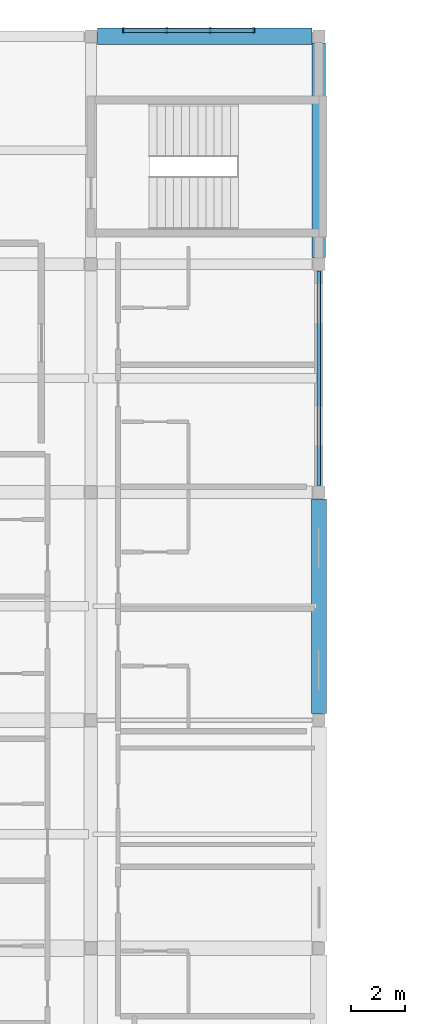
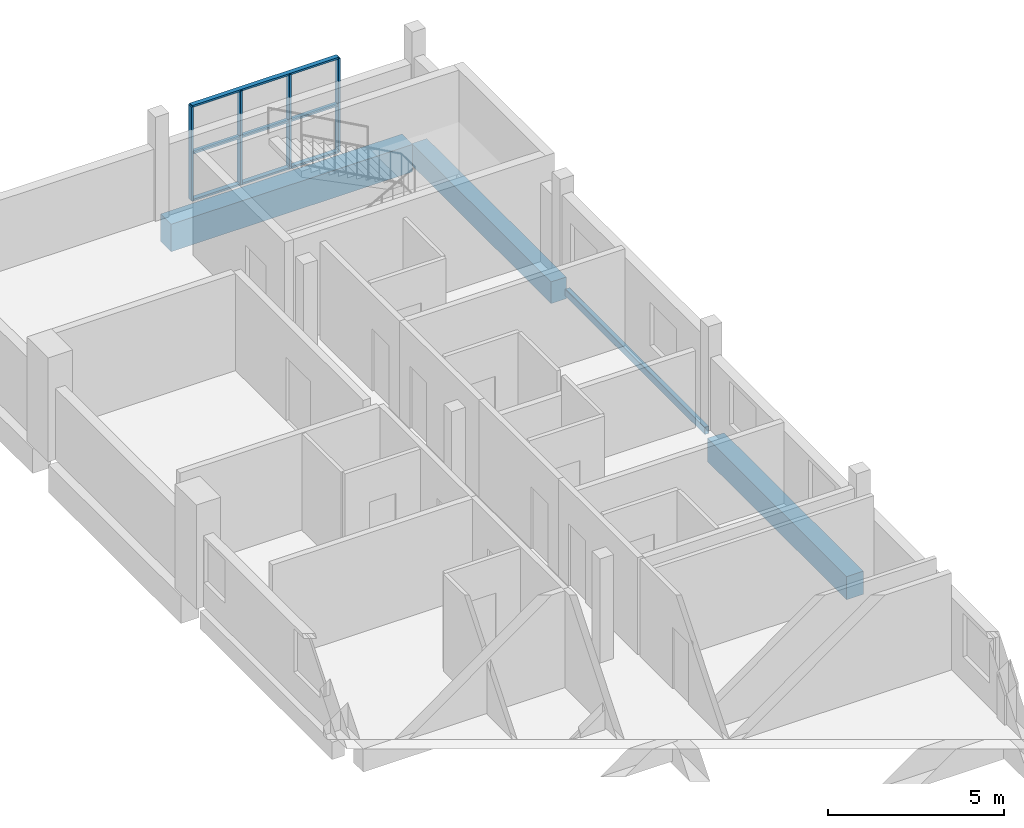
# One storey, part 4 of 19: 7 members, 4 beams, 1 element without a shape of its own.
"""IFC4 building model written with IfcOpenShell, lengths in metres."""

from ifc_helpers import new_model, si_unit, derived_unit, direction, frame, origin, origin_2d, place, context, subcontext, project, spatial, rectangle, hollow_rectangle, extrude, material, material_profile, profile_set, type_object, element, aggregate, save


model = new_model("IFC4")

# Units and contexts
model_context = context("Model", 3, precision=1e-05, world=origin(), true_north=direction((0.0, 1.0)))
body_context = subcontext(model_context, "Body", "Model", "MODEL_VIEW")
ifc_project = project(units=[si_unit("LENGTHUNIT", "METRE"), si_unit("AREAUNIT", "SQUARE_METRE"), si_unit("VOLUMEUNIT", "CUBIC_METRE"), si_unit("PLANEANGLEUNIT", "RADIAN"), si_unit("MASSUNIT", "GRAM", prefix="KILO"), derived_unit("THERMALTRANSMITTANCEUNIT", [(si_unit("POWERUNIT", "WATT"), 1), (si_unit("LENGTHUNIT", "METRE"), -2), (si_unit("THERMODYNAMICTEMPERATUREUNIT", "KELVIN"), -1)])], contexts=[model_context])

# Site, building, storey
site_placement = place(None, origin())
site = spatial("IfcSite", under=ifc_project, at=site_placement, CompositionType="ELEMENT")
building_placement = place(site_placement, origin())
building = spatial("IfcBuilding", under=site, at=building_placement, Name="Barrovel Congress Hotel", CompositionType="ELEMENT")
storey_placement = place(building_placement, frame((0.0, 0.0, 43.5)))
storey = spatial("IfcBuildingStorey", under=building, at=storey_placement, Name="L11", CompositionType="ELEMENT", Elevation=43.5)

# Beams
ifc_material_1 = material(Name="Concrete C40", Category="concrete")
ifc_material_profile_1 = material_profile(ifc_material_1, rectangle(XDim=0.5, YDim=0.75, at=origin_2d()), Name="RC500x750")
ifc_profile_set_1 = profile_set([ifc_material_profile_1], Name="Concrete C40")
beam_type_1 = type_object("IfcBeamType", Name="BM-RC500x750", PredefinedType="BEAM", material=ifc_profile_set_1)
beam_1_placement = place(storey_placement, frame((50.39990234375, 54.85009765625, -0.594970703125), z_axis=(0.0, 1.0, 0.0), x_axis=(-1.0, 0.0, 0.0)))
element("IfcBeam", 1, at=beam_1_placement, inside=storey, type_object=beam_type_1, Name="BMY:L11:50.4:54.6-63.0", PredefinedType="BEAM", context=body_context, shape_type="SweptSolid", body=[
    extrude(rectangle(XDim=0.5, YDim=0.75, at=origin_2d()), origin(), (0.0, 0.0, 1.0), 7.89990234375),
])
ifc_material_profile_2 = material_profile(ifc_material_1, rectangle(XDim=0.550048828125, YDim=0.800048828125, at=origin_2d()), Name="RC550x800")
ifc_profile_set_2 = profile_set([ifc_material_profile_2], Name="Concrete C40")
beam_type_2 = type_object("IfcBeamType", Name="BM-RC550x800", PredefinedType="BEAM", material=ifc_profile_set_2)
beam_2_placement = place(storey_placement, frame((50.39990234375, 38.050048828125, -0.6201171875), z_axis=(0.0, 1.0, 0.0), x_axis=(-1.0, 0.0, 0.0)))
element("IfcBeam", 2, at=beam_2_placement, inside=storey, type_object=beam_type_2, Name="BMY:L11:50.4:37.8-46.2", PredefinedType="BEAM", context=body_context, shape_type="SweptSolid", body=[
    extrude(rectangle(XDim=0.550048828125, YDim=0.800048828125, at=origin_2d()), origin(), (0.0, 0.0, 1.0), 7.89990234375),
])
ifc_material_profile_3 = material_profile(ifc_material_1, rectangle(XDim=0.60009765625, YDim=0.949951171875, at=origin_2d()), Name="RC600x950")
ifc_profile_set_3 = profile_set([ifc_material_profile_3], Name="Concrete C40")
beam_type_3 = type_object("IfcBeamType", Name="BM-RC600x950", PredefinedType="BEAM", material=ifc_profile_set_3)
beam_3_placement = place(storey_placement, frame((42.25, 63.0, -0.695068359375), z_axis=(1.0, 0.0, 0.0), x_axis=(0.0, 1.0, 0.0)))
element("IfcBeam", 3, at=beam_3_placement, inside=storey, type_object=beam_type_3, Name="BMX:L11:63.0:42.0-50.4", PredefinedType="BEAM", context=body_context, shape_type="SweptSolid", body=[
    extrude(rectangle(XDim=0.60009765625, YDim=0.949951171875, at=origin_2d()), origin(), (0.0, 0.0, 1.0), 7.89990234375),
])

# Curtain wall, members
ifc_material_2 = material(Name="Anodised Aluminium Alloy 6063-T6", Category="aluminium")
curtain_wall_type = type_object("IfcCurtainWallType", Name="CW-UN-4800x3200", PredefinedType="USERDEFINED", material=ifc_material_2)
curtain_wall_placement = place(storey_placement, origin())
curtain_wall = element("IfcCurtainWall", 4, at=curtain_wall_placement, inside=storey, type_object=curtain_wall_type, Name="CW:L11:UN-2", ObjectType="UNITISED CURTAIN WALL", PredefinedType="USERDEFINED")
ifc_material_profile_4 = material_profile(ifc_material_2, rectangle(XDim=0.06494140625, YDim=0.18994140625, at=origin_2d()), Name="AL-M65x190")
ifc_profile_set_4 = profile_set([ifc_material_profile_4], Name="Anodised Aluminium Alloy 6063-T6")
member_type_1 = type_object("IfcMemberType", Name="CWM-AL-M65x190", PredefinedType="MULLION", material=ifc_profile_set_4)
member_1_placement = place(storey_placement, frame((43.199951171875, 63.219970703125, 0.0), z_axis=(0.0, 0.0, 1.0), x_axis=(1.0, 0.0, 0.0)))
member_1 = element("IfcMember", 5, at=member_1_placement, type_object=member_type_1, Name="CW:L11:UN-2:M0", PredefinedType="MULLION", context=body_context, shape_type="SweptSolid", body=[
    extrude(rectangle(XDim=0.06494140625, YDim=0.18994140625, at=origin_2d()), origin(), (0.0, 0.0, 1.0), 3.25),
])
member_2_placement = place(storey_placement, frame((44.800048828125, 63.219970703125, 0.0), z_axis=(0.0, 0.0, 1.0), x_axis=(1.0, 0.0, 0.0)))
member_2 = element("IfcMember", 6, at=member_2_placement, type_object=member_type_1, Name="CW:L11:UN-2:M1", PredefinedType="MULLION", context=body_context, shape_type="SweptSolid", body=[
    extrude(rectangle(XDim=0.06494140625, YDim=0.18994140625, at=origin_2d()), origin(), (0.0, 0.0, 1.0), 3.25),
])
member_3_placement = place(storey_placement, frame((46.39990234375, 63.219970703125, 0.0), z_axis=(0.0, 0.0, 1.0), x_axis=(1.0, 0.0, 0.0)))
member_3 = element("IfcMember", 7, at=member_3_placement, type_object=member_type_1, Name="CW:L11:UN-2:M2", PredefinedType="MULLION", context=body_context, shape_type="SweptSolid", body=[
    extrude(rectangle(XDim=0.06494140625, YDim=0.18994140625, at=origin_2d()), origin(), (0.0, 0.0, 1.0), 3.25),
])
member_4_placement = place(storey_placement, frame((48.0, 63.219970703125, 0.0), z_axis=(0.0, 0.0, 1.0), x_axis=(1.0, 0.0, 0.0)))
member_4 = element("IfcMember", 8, at=member_4_placement, type_object=member_type_1, Name="CW:L11:UN-2:M3", PredefinedType="MULLION", context=body_context, shape_type="SweptSolid", body=[
    extrude(rectangle(XDim=0.06494140625, YDim=0.18994140625, at=origin_2d()), origin(), (0.0, 0.0, 1.0), 3.25),
])
ifc_material_profile_5 = material_profile(ifc_material_2, rectangle(XDim=0.14990234375, YDim=0.06494140625, at=origin_2d()), Name="AL-T65x150")
ifc_profile_set_5 = profile_set([ifc_material_profile_5], Name="Anodised Aluminium Alloy 6063-T6")
member_type_2 = type_object("IfcMemberType", Name="CWT-AL-T65x150", PredefinedType="USERDEFINED", material=ifc_profile_set_5)
member_5_placement = place(storey_placement, frame((43.199951171875, 63.219970703125, 0.0), z_axis=(1.0, 0.0, 0.0), x_axis=(0.0, 1.0, 0.0)))
member_5 = element("IfcMember", 9, at=member_5_placement, type_object=member_type_2, Name="CW:L11:UN-2:T0", ObjectType="TRANSOM", PredefinedType="USERDEFINED", context=body_context, shape_type="SweptSolid", body=[
    extrude(rectangle(XDim=0.14990234375, YDim=0.06494140625, at=origin_2d()), origin(), (0.0, 0.0, 1.0), 4.800048828125),
])
member_6_placement = place(storey_placement, frame((43.199951171875, 63.219970703125, 1.625), z_axis=(1.0, 0.0, 0.0), x_axis=(0.0, 1.0, 0.0)))
member_6 = element("IfcMember", 10, at=member_6_placement, type_object=member_type_2, Name="CW:L11:UN-2:T1", ObjectType="TRANSOM", PredefinedType="USERDEFINED", context=body_context, shape_type="SweptSolid", body=[
    extrude(rectangle(XDim=0.14990234375, YDim=0.06494140625, at=origin_2d()), origin(), (0.0, 0.0, 1.0), 4.800048828125),
])
member_7_placement = place(storey_placement, frame((43.199951171875, 63.219970703125, 3.25), z_axis=(1.0, 0.0, 0.0), x_axis=(0.0, 1.0, 0.0)))
member_7 = element("IfcMember", 11, at=member_7_placement, type_object=member_type_2, Name="CW:L11:UN-2:T2", ObjectType="TRANSOM", PredefinedType="USERDEFINED", context=body_context, shape_type="SweptSolid", body=[
    extrude(rectangle(XDim=0.14990234375, YDim=0.06494140625, at=origin_2d()), origin(), (0.0, 0.0, 1.0), 4.800048828125),
])
aggregate(curtain_wall, [member_1, member_2, member_3, member_4, member_5, member_6, member_7])

# Beam
ifc_material_3 = material(Name="Steel ASTM A500 Grade C", Category="steel")
ifc_material_profile_6 = material_profile(ifc_material_3, hollow_rectangle(XDim=0.15234375, YDim=0.25390625, WallThickness=0.0087890625, InnerFilletRadius=0.0087890625, OuterFilletRadius=0.017578125, at=origin_2d()), Name="HSS254x152x9.5")
ifc_profile_set_6 = profile_set([ifc_material_profile_6], Name="Steel ASTM A500 Grade C")
beam_type_4 = type_object("IfcBeamType", Name="SBM-HSS254x152x9.5", PredefinedType="SPANDREL", material=ifc_profile_set_6)
beam_4_placement = place(storey_placement, frame((50.39990234375, 46.449951171875, -0.346923828125), z_axis=(0.0, 1.0, 0.0), x_axis=(-1.0, 0.0, 0.0)))
element("IfcBeam", 12, at=beam_4_placement, inside=storey, type_object=beam_type_4, Name="BMY:L11:50.4:46.2-54.6", PredefinedType="SPANDREL", context=body_context, shape_type="SweptSolid", body=[
    extrude(hollow_rectangle(XDim=0.15234375, YDim=0.25390625, WallThickness=0.0087890625, InnerFilletRadius=0.0087890625, OuterFilletRadius=0.017578125, at=origin_2d()), origin(), (0.0, 0.0, 1.0), 7.900146484375),
])

save(model, "model.ifc")
